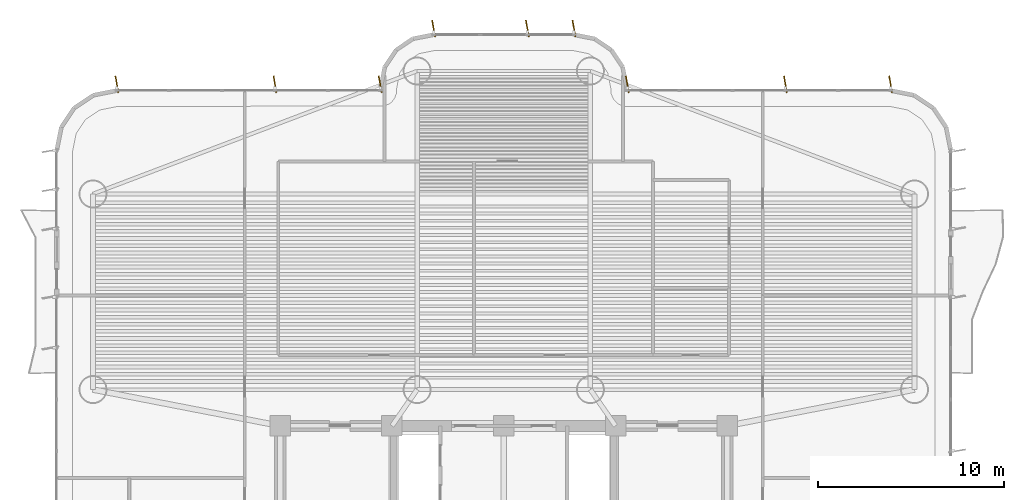
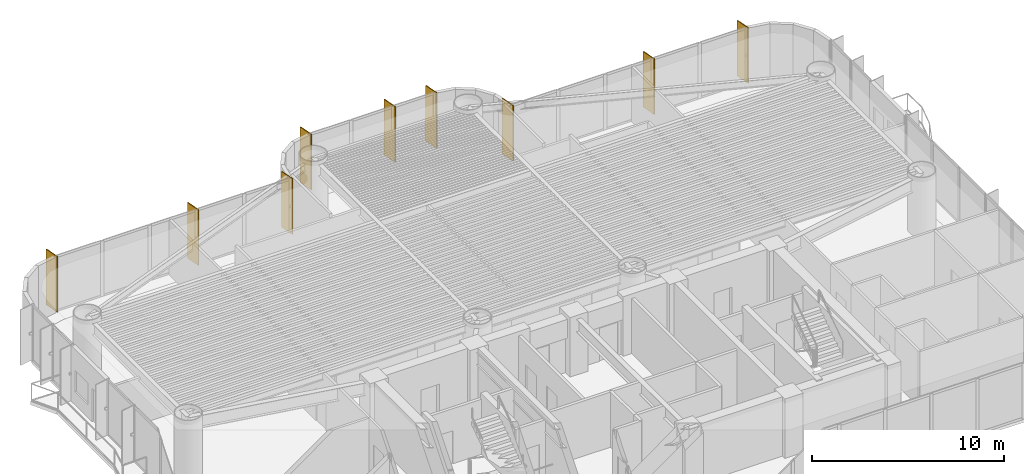
# One storey, part 17 of 17: 9 shading devices.
"""IFC4 building model written with IfcOpenShell, lengths in metres."""

from ifc_helpers import new_model, si_unit, direction, frame, origin, origin_2d, place, context, subcontext, project, spatial, rectangle, extrude, source, transform, mapped, material, material_profile, profile_set, type_object, element, save


model = new_model("IFC4")

# Units and contexts
model_context = context("Model", 3, precision=1e-05, world=origin(), true_north=direction((0.0, 1.0)))
body_context = subcontext(model_context, "Body", "Model", "MODEL_VIEW")
ifc_project = project(units=[si_unit("LENGTHUNIT", "METRE"), si_unit("AREAUNIT", "SQUARE_METRE"), si_unit("VOLUMEUNIT", "CUBIC_METRE"), si_unit("PLANEANGLEUNIT", "RADIAN"), si_unit("MASSUNIT", "GRAM", prefix="KILO")], contexts=[model_context])

# Site, building, storey
site_placement = place(None, origin())
site = spatial("IfcSite", under=ifc_project, at=site_placement, CompositionType="ELEMENT")
building_placement = place(site_placement, origin())
building = spatial("IfcBuilding", under=site, at=building_placement, Name="Brelvock Crest Care Tower", CompositionType="ELEMENT")
storey_placement = place(building_placement, frame((0.0, 0.0, 49.679931640625)))
storey = spatial("IfcBuildingStorey", under=building, at=storey_placement, Name="L12", CompositionType="ELEMENT", Elevation=49.679931640625)

# Shading devices
ifc_material = material(Name="Aluminium 6063-T6", Category="aluminium")
ifc_material_profile = material_profile(ifc_material, rectangle(XDim=0.054931640625, YDim=0.89990234375, at=origin_2d()), Name="FIN55x900")
ifc_profile_set = profile_set([ifc_material_profile], Name="Aluminium 6063-T6")
shading_device_type = type_object("IfcShadingDeviceType", Name="SHD-FIN1", PredefinedType="USERDEFINED", material=ifc_profile_set)
shared_shape = source(origin(), body_context, "Body", "SweptSolid", [
    extrude(rectangle(XDim=0.054931640625, YDim=0.89990234375, at=origin_2d()), origin(), (0.0, 0.0, 1.0), 3.530029296875),
])
for number, where, z_axis, x_axis, name in (
    (1, (15.232421875, 36.340087890625, 0.0), (0.0, 0.0, 1.0), (0.984807753012, 0.173648177667, 0.0), "L12 Vertical Sunshade Fin E18-01"),
    (2, (23.719970703125, 36.340087890625, 0.0), (0.0, 0.0, 1.0), (0.984807753012, 0.173648177667, 0.0), "L12 Vertical Sunshade Fin E18-04"),
    (3, (29.367431640625, 36.340087890625, 0.0), (0.0, 0.0, 1.0), (0.984807753012, 0.173648177667, 0.0), "L12 Vertical Sunshade Fin E18-06"),
    (4, (32.232421875, 39.340087890625, 0.0), (0.0, 0.0, 1.0), (0.984807753012, 0.173648177667, 0.0), "L12 Vertical Sunshade Fin E24-01"),
    (5, (37.2666015625, 39.340087890625, 0.0), (0.0, 0.0, 1.0), (0.984807753012, 0.173648177667, 0.0), "L12 Vertical Sunshade Fin E24-03"),
    (6, (39.767578125, 39.340087890625, 0.0), (0.0, 0.0, 1.0), (0.984807753012, 0.173648177667, 0.0), "L12 Vertical Sunshade Fin E24-04"),
    (7, (42.632568359375, 36.340087890625, 0.0), (0.0, 0.0, 1.0), (0.984807753012, 0.173648177667, 0.0), "L12 Vertical Sunshade Fin E30-01"),
    (8, (51.1201171875, 36.340087890625, 0.0), (0.0, 0.0, 1.0), (0.984807753012, 0.173648177667, 0.0), "L12 Vertical Sunshade Fin E30-04"),
    (9, (56.767578125, 36.340087890625, 0.0), (0.0, 0.0, 1.0), (0.984807753012, 0.173648177667, 0.0), "L12 Vertical Sunshade Fin E30-06"),
):
    element("IfcShadingDevice", number, at=place(storey_placement, frame(where, z_axis=z_axis, x_axis=x_axis)), inside=storey, type_object=shading_device_type, Name=name, ObjectType="FIN", PredefinedType="USERDEFINED", context=body_context, shape_type="MappedRepresentation", body=[
        mapped(shared_shape, transform((0.0, 0.0, 0.0), x_axis=(1.0, 0.0, 0.0), y_axis=(0.0, 1.0, 0.0), z_axis=(0.0, 0.0, 1.0), scale=1.0)),
    ])

save(model, "model.ifc")
